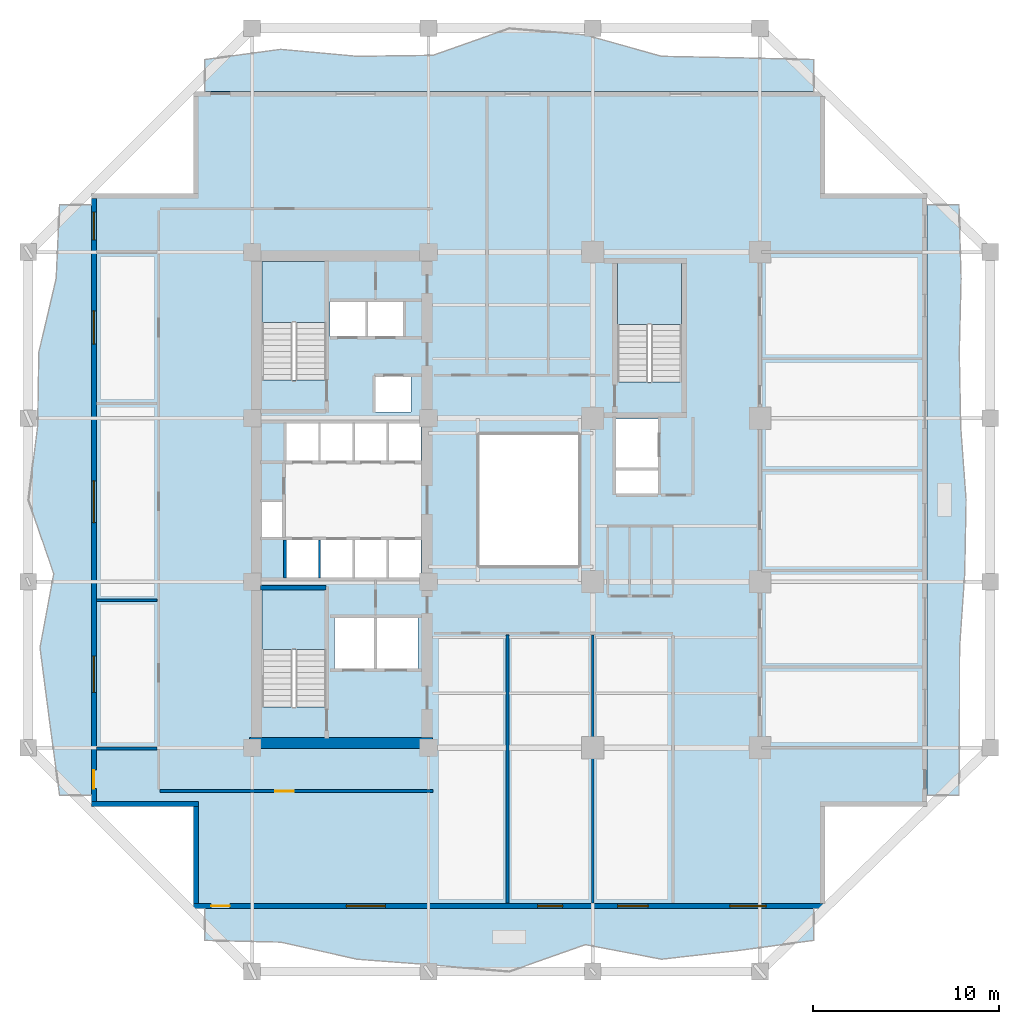
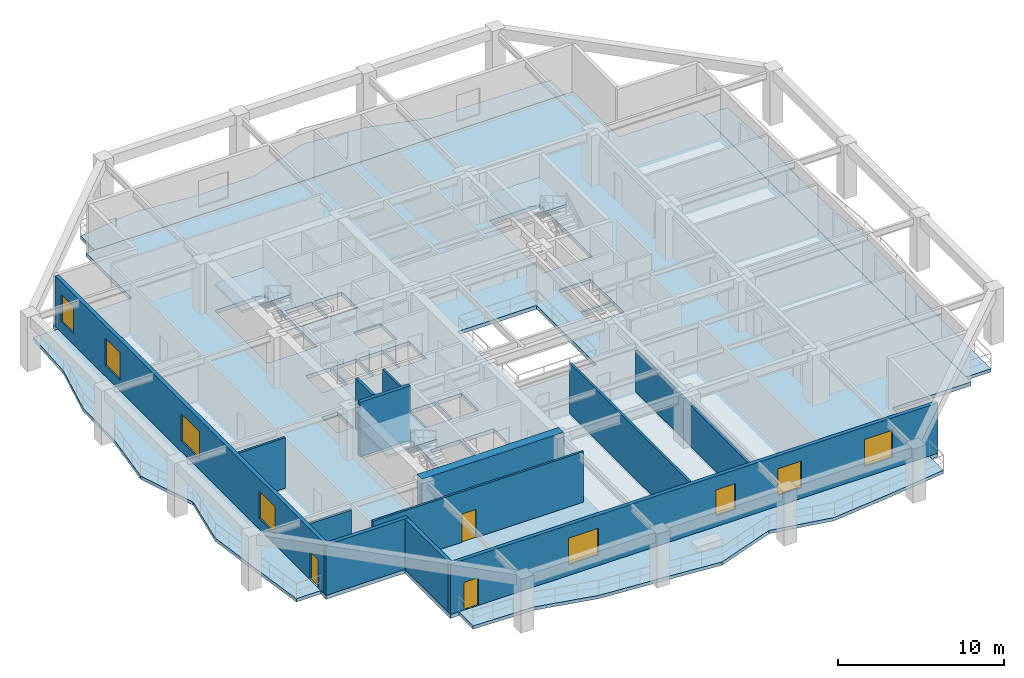
# One storey, part 2 of 13: 13 walls, 8 slabs, 8 windows, 3 doors, 11 openings, 3 elements without a shape of their own.
"""IFC4 building model written with IfcOpenShell, lengths in metres."""

from ifc_helpers import new_model, si_unit, direction, frame, frame_2d, origin, place, context, subcontext, project, spatial, polyline, rectangle, outline, extrude, material, layer, layer_set, type_object, element, fill, aggregate, save


model = new_model("IFC4")

# Units and contexts
model_context = context("Model", 3, precision=1e-05, world=origin(), true_north=direction((0.0, 1.0)))
body_context = subcontext(model_context, "Body", "Model", "MODEL_VIEW")
ifc_project = project(units=[si_unit("LENGTHUNIT", "METRE"), si_unit("AREAUNIT", "SQUARE_METRE"), si_unit("VOLUMEUNIT", "CUBIC_METRE"), si_unit("PLANEANGLEUNIT", "RADIAN"), si_unit("MASSUNIT", "GRAM", prefix="KILO")], contexts=[model_context])

# Site, building, storey
site_placement = place(None, origin())
site = spatial("IfcSite", under=ifc_project, at=site_placement, CompositionType="ELEMENT")
building_placement = place(site_placement, origin())
building = spatial("IfcBuilding", under=site, at=building_placement, Name="Kundavana Baori Tower", CompositionType="ELEMENT")
storey_placement = place(building_placement, frame((0.0, 0.0, 58.0)))
storey = spatial("IfcBuildingStorey", under=building, at=storey_placement, Name="L13", CompositionType="ELEMENT", Elevation=58.0)

# Slab
ifc_material_1 = material(Name="Concrete C40/50", Category="concrete")
ifc_layer_1 = layer(ifc_material_1, 0.280029296875, Name="SLB-FLR-280")
ifc_layer_set_1 = layer_set([ifc_layer_1], Name="Concrete C40/50")
slab_type_1 = type_object("IfcSlabType", Name="SLB-FLR-280", PredefinedType="FLOOR", material=ifc_layer_set_1)
slab_1_placement = place(storey_placement, frame((0.0, 0.0, -0.280029296875)))
element("IfcSlab", 1, at=slab_1_placement, inside=storey, type_object=slab_type_1, Name="L13 Structural Floor Slab", PredefinedType="FLOOR", context=body_context, shape_type="SweptSolid", body=[
    extrude(outline(polyline([(12.300048828125, 6.60009765625), (46.300048828125, 6.60009765625), (46.300048828125, 12.10009765625), (51.800048828125, 12.10009765625), (51.800048828125, 45.10009765625), (46.300048828125, 45.10009765625), (46.300048828125, 50.60009765625), (12.300048828125, 50.60009765625), (12.300048828125, 45.10009765625), (6.800048828125, 45.10009765625), (6.800048828125, 12.10009765625), (12.300048828125, 12.10009765625), (12.300048828125, 6.60009765625)]), holes=[polyline([(19.43994140625, 17.4619140625), (19.43994140625, 23.85009765625), (15.97998046875, 23.85009765625), (15.97998046875, 17.4619140625), (19.43994140625, 17.4619140625)]), polyline([(19.43994140625, 35.06201171875), (19.43994140625, 41.449951171875), (15.97998046875, 41.449951171875), (15.97998046875, 35.06201171875), (19.43994140625, 35.06201171875)]), polyline([(38.580078125, 34.9619140625), (38.580078125, 41.35009765625), (35.1201171875, 41.35009765625), (35.1201171875, 34.9619140625), (38.580078125, 34.9619140625)]), polyline([(17.300048828125, 24.39990234375), (19.02001953125, 24.39990234375), (19.02001953125, 26.449951171875), (17.300048828125, 26.449951171875), (17.300048828125, 24.39990234375)]), polyline([(19.139892578125, 24.39990234375), (20.860107421875, 24.39990234375), (20.860107421875, 26.449951171875), (19.139892578125, 26.449951171875), (19.139892578125, 24.39990234375)]), polyline([(20.97998046875, 24.39990234375), (22.699951171875, 24.39990234375), (22.699951171875, 26.449951171875), (20.97998046875, 26.449951171875), (20.97998046875, 24.39990234375)]), polyline([(22.820068359375, 24.39990234375), (24.5400390625, 24.39990234375), (24.5400390625, 26.449951171875), (22.820068359375, 26.449951171875), (22.820068359375, 24.39990234375)]), polyline([(17.300048828125, 30.699951171875), (19.02001953125, 30.699951171875), (19.02001953125, 32.75), (17.300048828125, 32.75), (17.300048828125, 30.699951171875)]), polyline([(19.139892578125, 30.699951171875), (20.860107421875, 30.699951171875), (20.860107421875, 32.75), (19.139892578125, 32.75), (19.139892578125, 30.699951171875)]), polyline([(20.97998046875, 30.699951171875), (22.699951171875, 30.699951171875), (22.699951171875, 32.75), (20.97998046875, 32.75), (20.97998046875, 30.699951171875)]), polyline([(22.820068359375, 30.699951171875), (24.5400390625, 30.699951171875), (24.5400390625, 32.75), (22.820068359375, 32.75), (22.820068359375, 30.699951171875)]), polyline([(19.64990234375, 37.39990234375), (21.550048828125, 37.39990234375), (21.550048828125, 39.300048828125), (19.64990234375, 39.300048828125), (19.64990234375, 37.39990234375)]), polyline([(21.699951171875, 37.39990234375), (23.60009765625, 37.39990234375), (23.60009765625, 39.300048828125), (21.699951171875, 39.300048828125), (21.699951171875, 37.39990234375)]), polyline([(22.10009765625, 33.35009765625), (24.0, 33.35009765625), (24.0, 35.25), (22.10009765625, 35.25), (22.10009765625, 33.35009765625)]), polyline([(19.8798828125, 19.5), (22.02001953125, 19.5), (22.02001953125, 22.25), (19.8798828125, 22.25), (19.8798828125, 19.5)]), polyline([(22.179931640625, 19.5), (24.3798828125, 19.5), (24.3798828125, 22.25), (22.179931640625, 22.25), (22.179931640625, 19.5)]), polyline([(35.050048828125, 30.35009765625), (37.300048828125, 30.35009765625), (37.300048828125, 32.949951171875), (35.050048828125, 32.949951171875), (35.050048828125, 30.35009765625)]), polyline([(15.949951171875, 26.60009765625), (17.080078125, 26.60009765625), (17.080078125, 28.5), (15.949951171875, 28.5), (15.949951171875, 26.60009765625)]), polyline([(35.050048828125, 28.949951171875), (37.300048828125, 28.949951171875), (37.300048828125, 30.199951171875), (35.050048828125, 30.199951171875), (35.050048828125, 28.949951171875)]), polyline([(27.60009765625, 25.0), (33.10009765625, 25.0), (33.10009765625, 32.199951171875), (27.60009765625, 32.199951171875), (27.60009765625, 25.0)])]), origin(), (0.0, 0.0, 1.0), 0.280029296875),
])

# Stair, slab
ifc_material_2 = material(Name="Concrete C40/50", Category="concrete")
stair_type = type_object("IfcStairType", Name="STR-DOG-1650", PredefinedType="HALF_TURN_STAIR", material=ifc_material_2)
stair_1_placement = place(storey_placement, origin())
stair_1 = element("IfcStair", 2, at=stair_1_placement, inside=storey, type_object=stair_type, Name="L13 Protected Exit Stair ST1", PredefinedType="HALF_TURN_STAIR")
ifc_material_3 = material(Name="Concrete C40/50", Category="concrete")
ifc_layer_2 = layer(ifc_material_3, 0.199951171875, Name="SLB-LND-200")
ifc_layer_set_2 = layer_set([ifc_layer_2], Name="Concrete C40/50")
slab_type_2 = type_object("IfcSlabType", Name="SLB-LND-200", PredefinedType="LANDING", material=ifc_layer_set_2)
slab_2_placement = place(storey_placement, frame((0.0, 0.0, 1.800048828125)))
slab_2 = element("IfcSlab", 3, at=slab_2_placement, type_object=slab_type_2, Name="ST1 landing 1", PredefinedType="LANDING", context=body_context, shape_type="SweptSolid", body=[
    extrude(outline(polyline([(19.43994140625, 20.550048828125), (19.43994140625, 23.85009765625), (15.97998046875, 23.85009765625), (15.97998046875, 20.550048828125), (19.43994140625, 20.550048828125)])), origin(), (0.0, 0.0, 1.0), 0.199951171875),
])
aggregate(stair_1, [slab_2])

stair_2_placement = place(storey_placement, origin())
stair_2 = element("IfcStair", 4, at=stair_2_placement, inside=storey, type_object=stair_type, Name="L13 Protected Exit Stair ST2", PredefinedType="HALF_TURN_STAIR")
slab_3_placement = place(storey_placement, frame((0.0, 0.0, 1.800048828125)))
slab_3 = element("IfcSlab", 5, at=slab_3_placement, type_object=slab_type_2, Name="ST2 landing 1", PredefinedType="LANDING", context=body_context, shape_type="SweptSolid", body=[
    extrude(outline(polyline([(19.43994140625, 38.14990234375), (19.43994140625, 41.449951171875), (15.97998046875, 41.449951171875), (15.97998046875, 38.14990234375), (19.43994140625, 38.14990234375)])), origin(), (0.0, 0.0, 1.0), 0.199951171875),
])
aggregate(stair_2, [slab_3])

stair_3_placement = place(storey_placement, origin())
stair_3 = element("IfcStair", 6, at=stair_3_placement, inside=storey, type_object=stair_type, Name="L13 Protected Exit Stair ST3", PredefinedType="HALF_TURN_STAIR")
slab_4_placement = place(storey_placement, frame((0.0, 0.0, 1.800048828125)))
slab_4 = element("IfcSlab", 7, at=slab_4_placement, type_object=slab_type_2, Name="ST3 landing 1", PredefinedType="LANDING", context=body_context, shape_type="SweptSolid", body=[
    extrude(outline(polyline([(38.580078125, 38.050048828125), (38.580078125, 41.35009765625), (35.1201171875, 41.35009765625), (35.1201171875, 38.050048828125), (38.580078125, 38.050048828125)])), origin(), (0.0, 0.0, 1.0), 0.199951171875),
])
aggregate(stair_3, [slab_4])

# Slabs
ifc_material_4 = material(Name="Concrete C40/50", Category="concrete")
ifc_layer_3 = layer(ifc_material_4, 0.239990234375, Name="SLB-LOG-240")
ifc_layer_set_3 = layer_set([ifc_layer_3], Name="Concrete C40/50")
slab_type_3 = type_object("IfcSlabType", Name="SLB-LOG-240", PredefinedType="FLOOR", material=ifc_layer_set_3)
slab_5_placement = place(storey_placement, frame((0.0, 0.0, -0.239990234375)))
element("IfcSlab", 8, at=slab_5_placement, inside=storey, type_object=slab_type_3, Name="L13 Planted Loggia Balcony Slab S", PredefinedType="FLOOR", context=body_context, shape_type="SweptSolid", body=[
    extrude(outline(polyline([(12.89990234375, 6.60009765625), (45.699951171875, 6.60009765625), (45.699951171875, 4.8798828125), (41.60009765625, 4.3310546875), (37.5, 3.865966796875), (33.39990234375, 4.653076171875), (29.300048828125, 3.199951171875), (25.199951171875, 3.554931640625), (21.10009765625, 3.865966796875), (17.0, 4.785888671875), (12.89990234375, 4.8798828125), (12.89990234375, 6.60009765625)])), origin(), (0.0, 0.0, 1.0), 0.239990234375),
])
slab_6_placement = place(storey_placement, frame((0.0, 0.0, -0.239990234375)))
element("IfcSlab", 9, at=slab_6_placement, inside=storey, type_object=slab_type_3, Name="L13 Planted Loggia Balcony Slab E", PredefinedType="FLOOR", context=body_context, shape_type="SweptSolid", body=[
    extrude(outline(polyline([(51.800048828125, 12.699951171875), (51.800048828125, 44.5), (53.52001953125, 44.5), (53.635009765625, 40.52490234375), (53.5380859375, 36.550048828125), (53.613037109375, 32.574951171875), (53.904052734375, 28.60009765625), (53.830078125, 24.625), (53.553955078125, 20.64990234375), (53.5458984375, 16.675048828125), (53.52001953125, 12.699951171875), (51.800048828125, 12.699951171875)])), origin(), (0.0, 0.0, 1.0), 0.239990234375),
])
slab_7_placement = place(storey_placement, frame((0.0, 0.0, -0.239990234375)))
element("IfcSlab", 10, at=slab_7_placement, inside=storey, type_object=slab_type_3, Name="L13 Planted Loggia Balcony Slab N", PredefinedType="FLOOR", context=body_context, shape_type="SweptSolid", body=[
    extrude(outline(polyline([(45.699951171875, 50.60009765625), (12.89990234375, 50.60009765625), (12.89990234375, 52.320068359375), (17.0, 52.868896484375), (21.10009765625, 52.493896484375), (25.199951171875, 52.547119140625), (29.300048828125, 54.0), (33.39990234375, 53.64501953125), (37.5, 52.493896484375), (41.60009765625, 52.4140625), (45.699951171875, 52.320068359375), (45.699951171875, 50.60009765625)])), origin(), (0.0, 0.0, 1.0), 0.239990234375),
])
slab_8_placement = place(storey_placement, frame((0.0, 0.0, -0.239990234375)))
element("IfcSlab", 11, at=slab_8_placement, inside=storey, type_object=slab_type_3, Name="L13 Planted Loggia Balcony Slab W", PredefinedType="FLOOR", context=body_context, shape_type="SweptSolid", body=[
    extrude(outline(polyline([(6.800048828125, 44.5), (6.800048828125, 12.699951171875), (5.080078125, 12.699951171875), (4.5419921875, 16.675048828125), (4.028076171875, 20.64990234375), (4.76806640625, 24.625), (3.39990234375, 28.60009765625), (3.90087890625, 32.574951171875), (3.964111328125, 36.550048828125), (4.89794921875, 40.52490234375), (5.080078125, 44.5), (6.800048828125, 44.5)])), origin(), (0.0, 0.0, 1.0), 0.239990234375),
])

# Walls
ifc_material_5 = material(Name="Concrete C50/60", Category="concrete")
ifc_layer_4 = layer(ifc_material_5, 0.39990234375, Name="WL-CORE-400")
ifc_layer_set_4 = layer_set([ifc_layer_4], Name="Concrete C50/60")
wall_type_1 = type_object("IfcWallType", Name="WL-CORE-400", PredefinedType="SHEAR", material=ifc_layer_set_4)
wall_1_placement = place(storey_placement, frame((15.89990234375, 23.860107421875, 0.0), z_axis=(0.0, 0.0, 1.0), x_axis=(1.0, 0.0, 0.0)))
element("IfcWall", 12, at=wall_1_placement, inside=storey, type_object=wall_type_1, Name="WL-L13-ST1-N", PredefinedType="SHEAR", context=body_context, shape_type="SweptSolid", body=[
    extrude(rectangle(XDim=3.52001953125, YDim=0.239990234375, at=frame_2d((1.760009765625, 0.0))), origin(), (0.0, 0.0, 1.0), 4.0),
])
ifc_material_6 = material(Name="Concrete C60/75", Category="concrete")
ifc_layer_5 = layer(ifc_material_6, 0.60009765625, Name="WL-CORE-600")
ifc_layer_set_5 = layer_set([ifc_layer_5], Name="Concrete C60/75")
wall_type_2 = type_object("IfcWallType", Name="WL-CORE-600", PredefinedType="SHEAR", material=ifc_layer_set_5)
wall_2_placement = place(storey_placement, frame((15.300048828125, 15.510009765625, 0.0), z_axis=(0.0, 0.0, 1.0), x_axis=(1.0, 0.0, 0.0)))
element("IfcWall", 13, at=wall_2_placement, inside=storey, type_object=wall_type_2, Name="L13 Offset Core South Shear Wall", PredefinedType="SHEAR", context=body_context, shape_type="SweptSolid", body=[
    extrude(rectangle(XDim=9.8798828125, YDim=0.60009765625, at=frame_2d((4.93994140625, 0.0))), origin(), (0.0, 0.0, 1.0), 3.719970703125),
])

# Wall, openings, door, windows
ifc_material_7 = material(Name="Kiln-Fired Terracotta Brick-Slip Masonry on Concrete C40/50", Category="masonry")
ifc_layer_6 = layer(ifc_material_7, 0.260009765625, Name="WL-EXT-BRK-260")
ifc_layer_set_6 = layer_set([ifc_layer_6], Name="Kiln-Fired Terracotta Brick-Slip Masonry on Concrete C40/50")
wall_type_3 = type_object("IfcWallType", Name="WL-EXT-BRK-260", PredefinedType="SOLIDWALL", material=ifc_layer_set_6)
wall_3_placement = place(storey_placement, frame((12.300048828125, 6.72998046875, 0.0), z_axis=(0.0, 0.0, 1.0), x_axis=(1.0, 0.0, 0.0)))
wall_3 = element("IfcWall", 14, at=wall_3_placement, inside=storey, type_object=wall_type_3, Name="L13 Exterior Insulated Facade Wall 01", PredefinedType="SOLIDWALL", context=body_context, shape_type="SweptSolid", body=[
    extrude(rectangle(XDim=34.0, YDim=0.260009765625, at=frame_2d((17.0, 0.0))), origin(), (0.0, 0.0, 1.0), 3.719970703125),
])
opening_1_placement = place(wall_3_placement, frame((0.949951171875, 0.0, 0.0)))
opening_1 = element("IfcOpeningElement", 15, at=opening_1_placement, cuts=wall_3, Name="Opening BD-1", PredefinedType="OPENING", context=body_context, shape_type="SweptSolid", body=[
    extrude(rectangle(XDim=1.0, YDim=2.050048828125, at=frame_2d((0.5, 1.02490234375))), frame((0.0, 0.14013671875, 0.0), z_axis=(0.0, -1.0, 0.0), x_axis=(1.0, 0.0, 0.0)), (0.0, 0.0, 1.0), 0.280029296875),
])
opening_2_placement = place(wall_3_placement, frame((8.22998046875, 0.0, 0.800048828125)))
opening_2 = element("IfcOpeningElement", 16, at=opening_2_placement, cuts=wall_3, Name="Opening W-05", PredefinedType="OPENING", context=body_context, shape_type="SweptSolid", body=[
    extrude(rectangle(XDim=2.10009765625, YDim=1.949951171875, at=frame_2d((1.050048828125, 0.97509765625))), frame((0.0, 0.14013671875, 0.0), z_axis=(0.0, -1.0, 0.0), x_axis=(1.0, 0.0, 0.0)), (0.0, 0.0, 1.0), 0.280029296875),
])
opening_3_placement = place(wall_3_placement, frame((18.52490234375, 0.0, 0.800048828125)))
opening_3 = element("IfcOpeningElement", 17, at=opening_3_placement, cuts=wall_3, Name="Opening W-07", PredefinedType="OPENING", context=body_context, shape_type="SweptSolid", body=[
    extrude(rectangle(XDim=1.35009765625, YDim=1.89990234375, at=frame_2d((0.675048828125, 0.949951171875))), frame((0.0, 0.14013671875, 0.0), z_axis=(0.0, -1.0, 0.0), x_axis=(1.0, 0.0, 0.0)), (0.0, 0.0, 1.0), 0.280029296875),
])
opening_4_placement = place(wall_3_placement, frame((22.8349609375, 0.0, 0.800048828125)))
opening_4 = element("IfcOpeningElement", 18, at=opening_4_placement, cuts=wall_3, Name="Opening W-08", PredefinedType="OPENING", context=body_context, shape_type="SweptSolid", body=[
    extrude(rectangle(XDim=1.64990234375, YDim=1.949951171875, at=frame_2d((0.824951171875, 0.97509765625))), frame((0.0, 0.14013671875, 0.0), z_axis=(0.0, -1.0, 0.0), x_axis=(1.0, 0.0, 0.0)), (0.0, 0.0, 1.0), 0.280029296875),
])
opening_5_placement = place(wall_3_placement, frame((28.8798828125, 0.0, 0.800048828125)))
opening_5 = element("IfcOpeningElement", 19, at=opening_5_placement, cuts=wall_3, Name="Opening W-09", PredefinedType="OPENING", context=body_context, shape_type="SweptSolid", body=[
    extrude(rectangle(XDim=1.949951171875, YDim=2.0, at=frame_2d((0.97509765625, 1.0))), frame((0.0, 0.14013671875, 0.0), z_axis=(0.0, -1.0, 0.0), x_axis=(1.0, 0.0, 0.0)), (0.0, 0.0, 1.0), 0.280029296875),
])
ifc_material_8 = material(Name="Architectural Patinated Bronze Metalwork")
door_type_1 = type_object("IfcDoorType", Name="DR-EXT-LOG-1000", OperationType="NOTDEFINED", PredefinedType="DOOR", material=ifc_material_8)
door_1_placement = place(opening_1_placement, frame((1.0, 0.0, 0.0), z_axis=(0.0, 0.0, 1.0), x_axis=(-1.0, 0.0, 0.0)))
door_1 = element("IfcDoor", 20, at=door_1_placement, inside=storey, type_object=door_type_1, Name="L13 Loggia Balcony Access Door S", OperationType="SINGLE_SWING_LEFT", OverallHeight=2.050048828125, OverallWidth=1.0, PredefinedType="DOOR", context=body_context, shape_type="SweptSolid", body=[
    extrude(rectangle(XDim=1.0, YDim=2.050048828125, at=frame_2d((0.5, 1.02490234375))), frame((0.0, 0.02490234375, 0.0), z_axis=(0.0, -1.0, 0.0), x_axis=(1.0, 0.0, 0.0)), (0.0, 0.0, 1.0), 0.050048828125),
])
fill(opening_1, door_1)
ifc_material_9 = material(Name="Double-Glazed Solar-Control Low-E Insulated Glass", Category="glass")
window_type_1 = type_object("IfcWindowType", Name="WIN-LOG-1350x1900", PartitioningType="SINGLE_PANEL", PredefinedType="WINDOW", material=ifc_material_9)
window_1_placement = place(opening_3_placement, origin())
window_1 = element("IfcWindow", 21, at=window_1_placement, inside=storey, type_object=window_type_1, Name="L13 Recessed Loggia Window S-2", OverallHeight=1.89990234375, OverallWidth=1.35009765625, PartitioningType="SINGLE_PANEL", PredefinedType="WINDOW", context=body_context, shape_type="SweptSolid", body=[
    extrude(rectangle(XDim=1.35009765625, YDim=1.89990234375, at=frame_2d((0.675048828125, 0.949951171875))), frame((0.0, 0.030029296875, 0.0), z_axis=(0.0, -1.0, 0.0), x_axis=(1.0, 0.0, 0.0)), (0.0, 0.0, 1.0), 0.06005859375),
])
fill(opening_3, window_1)
ifc_material_10 = material(Name="Double-Glazed Solar-Control Low-E Insulated Glass", Category="glass")
window_type_2 = type_object("IfcWindowType", Name="WIN-LOG-1650x1950", PartitioningType="SINGLE_PANEL", PredefinedType="WINDOW", material=ifc_material_10)
window_2_placement = place(opening_4_placement, origin())
window_2 = element("IfcWindow", 22, at=window_2_placement, inside=storey, type_object=window_type_2, Name="L13 Recessed Loggia Window S-3", OverallHeight=1.949951171875, OverallWidth=1.64990234375, PartitioningType="SINGLE_PANEL", PredefinedType="WINDOW", context=body_context, shape_type="SweptSolid", body=[
    extrude(rectangle(XDim=1.64990234375, YDim=1.949951171875, at=frame_2d((0.824951171875, 0.97509765625))), frame((0.0, 0.030029296875, 0.0), z_axis=(0.0, -1.0, 0.0), x_axis=(1.0, 0.0, 0.0)), (0.0, 0.0, 1.0), 0.06005859375),
])
fill(opening_4, window_2)
ifc_material_11 = material(Name="Double-Glazed Solar-Control Low-E Insulated Glass", Category="glass")
window_type_3 = type_object("IfcWindowType", Name="WIN-LOG-1950x2000", PartitioningType="SINGLE_PANEL", PredefinedType="WINDOW", material=ifc_material_11)
window_3_placement = place(opening_5_placement, origin())
window_3 = element("IfcWindow", 23, at=window_3_placement, inside=storey, type_object=window_type_3, Name="L13 Recessed Loggia Window S-4", OverallHeight=2.0, OverallWidth=1.949951171875, PartitioningType="SINGLE_PANEL", PredefinedType="WINDOW", context=body_context, shape_type="SweptSolid", body=[
    extrude(rectangle(XDim=1.949951171875, YDim=2.0, at=frame_2d((0.97509765625, 1.0))), frame((0.0, 0.030029296875, 0.0), z_axis=(0.0, -1.0, 0.0), x_axis=(1.0, 0.0, 0.0)), (0.0, 0.0, 1.0), 0.06005859375),
])
fill(opening_5, window_3)
ifc_material_12 = material(Name="Double-Glazed Solar-Control Low-E Insulated Glass", Category="glass")
window_type_4 = type_object("IfcWindowType", Name="WIN-LOG-2100x1950", PartitioningType="SINGLE_PANEL", PredefinedType="WINDOW", material=ifc_material_12)
window_4_placement = place(opening_2_placement, origin())
window_4 = element("IfcWindow", 24, at=window_4_placement, inside=storey, type_object=window_type_4, Name="L13 Recessed Loggia Window S-1", OverallHeight=1.949951171875, OverallWidth=2.10009765625, PartitioningType="SINGLE_PANEL", PredefinedType="WINDOW", context=body_context, shape_type="SweptSolid", body=[
    extrude(rectangle(XDim=2.10009765625, YDim=1.949951171875, at=frame_2d((1.050048828125, 0.97509765625))), frame((0.0, 0.030029296875, 0.0), z_axis=(0.0, -1.0, 0.0), x_axis=(1.0, 0.0, 0.0)), (0.0, 0.0, 1.0), 0.06005859375),
])
fill(opening_2, window_4)

wall_4_placement = place(storey_placement, frame((6.929931640625, 44.840087890625, 0.0), z_axis=(0.0, 0.0, 1.0), x_axis=(0.0, -1.0, 0.0)))
wall_4 = element("IfcWall", 25, at=wall_4_placement, inside=storey, type_object=wall_type_3, Name="L13 Exterior Insulated Facade Wall 10", PredefinedType="SOLIDWALL", context=body_context, shape_type="SweptSolid", body=[
    extrude(rectangle(XDim=32.47998046875, YDim=0.260009765625, at=frame_2d((16.239990234375, 0.0))), origin(), (0.0, 0.0, 1.0), 3.719970703125),
])
opening_6_placement = place(wall_4_placement, frame((30.7900390625, 0.0, 0.0)))
opening_6 = element("IfcOpeningElement", 26, at=opening_6_placement, cuts=wall_4, Name="Opening BD-1", PredefinedType="OPENING", context=body_context, shape_type="SweptSolid", body=[
    extrude(rectangle(XDim=1.0, YDim=2.050048828125, at=frame_2d((0.5, 1.02490234375))), frame((0.0, 0.14013671875, 0.0), z_axis=(0.0, -1.0, 0.0), x_axis=(1.0, 0.0, 0.0)), (0.0, 0.0, 1.0), 0.280029296875),
])
opening_7_placement = place(wall_4_placement, frame((24.655029296875, 0.0, 0.800048828125)))
opening_7 = element("IfcOpeningElement", 27, at=opening_7_placement, cuts=wall_4, Name="Opening W-09", PredefinedType="OPENING", context=body_context, shape_type="SweptSolid", body=[
    extrude(rectangle(XDim=1.949951171875, YDim=2.0, at=frame_2d((0.97509765625, 1.0))), frame((0.0, 0.14013671875, 0.0), z_axis=(0.0, -1.0, 0.0), x_axis=(1.0, 0.0, 0.0)), (0.0, 0.0, 1.0), 0.280029296875),
])
opening_8_placement = place(wall_4_placement, frame((15.215087890625, 0.0, 0.800048828125)))
opening_8 = element("IfcOpeningElement", 28, at=opening_8_placement, cuts=wall_4, Name="Opening W-10", PredefinedType="OPENING", context=body_context, shape_type="SweptSolid", body=[
    extrude(rectangle(XDim=2.25, YDim=2.0, at=frame_2d((1.125, 1.0))), frame((0.0, 0.14013671875, 0.0), z_axis=(0.0, -1.0, 0.0), x_axis=(1.0, 0.0, 0.0)), (0.0, 0.0, 1.0), 0.280029296875),
])
opening_9_placement = place(wall_4_placement, frame((6.050048828125, 0.0, 0.800048828125)))
opening_9 = element("IfcOpeningElement", 29, at=opening_9_placement, cuts=wall_4, Name="Opening W-01", PredefinedType="OPENING", context=body_context, shape_type="SweptSolid", body=[
    extrude(rectangle(XDim=1.800048828125, YDim=2.0, at=frame_2d((0.89990234375, 1.0))), frame((0.0, 0.14013671875, 0.0), z_axis=(0.0, -1.0, 0.0), x_axis=(1.0, 0.0, 0.0)), (0.0, 0.0, 1.0), 0.280029296875),
])
opening_10_placement = place(wall_4_placement, frame((0.735107421875, 0.0, 0.800048828125)))
opening_10 = element("IfcOpeningElement", 30, at=opening_10_placement, cuts=wall_4, Name="Opening W-02", PredefinedType="OPENING", context=body_context, shape_type="SweptSolid", body=[
    extrude(rectangle(XDim=1.5, YDim=2.0, at=frame_2d((0.75, 1.0))), frame((0.0, 0.14013671875, 0.0), z_axis=(0.0, -1.0, 0.0), x_axis=(1.0, 0.0, 0.0)), (0.0, 0.0, 1.0), 0.280029296875),
])
door_2_placement = place(opening_6_placement, frame((1.0, 0.0, 0.0), z_axis=(0.0, 0.0, 1.0), x_axis=(-1.0, 0.0, 0.0)))
door_2 = element("IfcDoor", 31, at=door_2_placement, inside=storey, type_object=door_type_1, Name="L13 Loggia Balcony Access Door W", OperationType="SINGLE_SWING_RIGHT", OverallHeight=2.050048828125, OverallWidth=1.0, PredefinedType="DOOR", context=body_context, shape_type="SweptSolid", body=[
    extrude(rectangle(XDim=1.0, YDim=2.050048828125, at=frame_2d((0.5, 1.02490234375))), frame((0.0, 0.02490234375, 0.0), z_axis=(0.0, -1.0, 0.0), x_axis=(1.0, 0.0, 0.0)), (0.0, 0.0, 1.0), 0.050048828125),
])
fill(opening_6, door_2)
ifc_material_13 = material(Name="Double-Glazed Solar-Control Low-E Insulated Glass", Category="glass")
window_type_5 = type_object("IfcWindowType", Name="WIN-LOG-1500x2000", PartitioningType="SINGLE_PANEL", PredefinedType="WINDOW", material=ifc_material_13)
window_5_placement = place(opening_10_placement, origin())
window_5 = element("IfcWindow", 32, at=window_5_placement, inside=storey, type_object=window_type_5, Name="L13 Recessed Loggia Window W-5", OverallHeight=2.0, OverallWidth=1.5, PartitioningType="SINGLE_PANEL", PredefinedType="WINDOW", context=body_context, shape_type="SweptSolid", body=[
    extrude(rectangle(XDim=1.5, YDim=2.0, at=frame_2d((0.75, 1.0))), frame((0.0, 0.030029296875, 0.0), z_axis=(0.0, -1.0, 0.0), x_axis=(1.0, 0.0, 0.0)), (0.0, 0.0, 1.0), 0.06005859375),
])
fill(opening_10, window_5)
ifc_material_14 = material(Name="Double-Glazed Solar-Control Low-E Insulated Glass", Category="glass")
window_type_6 = type_object("IfcWindowType", Name="WIN-LOG-1800x2000", PartitioningType="SINGLE_PANEL", PredefinedType="WINDOW", material=ifc_material_14)
window_6_placement = place(opening_9_placement, origin())
window_6 = element("IfcWindow", 33, at=window_6_placement, inside=storey, type_object=window_type_6, Name="L13 Recessed Loggia Window W-4", OverallHeight=2.0, OverallWidth=1.800048828125, PartitioningType="SINGLE_PANEL", PredefinedType="WINDOW", context=body_context, shape_type="SweptSolid", body=[
    extrude(rectangle(XDim=1.800048828125, YDim=2.0, at=frame_2d((0.89990234375, 1.0))), frame((0.0, 0.030029296875, 0.0), z_axis=(0.0, -1.0, 0.0), x_axis=(1.0, 0.0, 0.0)), (0.0, 0.0, 1.0), 0.06005859375),
])
fill(opening_9, window_6)
window_7_placement = place(opening_7_placement, origin())
window_7 = element("IfcWindow", 34, at=window_7_placement, inside=storey, type_object=window_type_3, Name="L13 Recessed Loggia Window W-2", OverallHeight=2.0, OverallWidth=1.949951171875, PartitioningType="SINGLE_PANEL", PredefinedType="WINDOW", context=body_context, shape_type="SweptSolid", body=[
    extrude(rectangle(XDim=1.949951171875, YDim=2.0, at=frame_2d((0.97509765625, 1.0))), frame((0.0, 0.030029296875, 0.0), z_axis=(0.0, -1.0, 0.0), x_axis=(1.0, 0.0, 0.0)), (0.0, 0.0, 1.0), 0.06005859375),
])
fill(opening_7, window_7)
ifc_material_15 = material(Name="Double-Glazed Solar-Control Low-E Insulated Glass", Category="glass")
window_type_7 = type_object("IfcWindowType", Name="WIN-LOG-2250x2000", PartitioningType="SINGLE_PANEL", PredefinedType="WINDOW", material=ifc_material_15)
window_8_placement = place(opening_8_placement, origin())
window_8 = element("IfcWindow", 35, at=window_8_placement, inside=storey, type_object=window_type_7, Name="L13 Recessed Loggia Window W-3", OverallHeight=2.0, OverallWidth=2.25, PartitioningType="SINGLE_PANEL", PredefinedType="WINDOW", context=body_context, shape_type="SweptSolid", body=[
    extrude(rectangle(XDim=2.25, YDim=2.0, at=frame_2d((1.125, 1.0))), frame((0.0, 0.030029296875, 0.0), z_axis=(0.0, -1.0, 0.0), x_axis=(1.0, 0.0, 0.0)), (0.0, 0.0, 1.0), 0.06005859375),
])
fill(opening_8, window_8)

# Walls
wall_5_placement = place(storey_placement, frame((6.800048828125, 12.22998046875, 0.0), z_axis=(0.0, 0.0, 1.0), x_axis=(1.0, 0.0, 0.0)))
element("IfcWall", 36, at=wall_5_placement, inside=storey, type_object=wall_type_3, Name="L13 Exterior Insulated Facade Wall 11", PredefinedType="SOLIDWALL", context=body_context, shape_type="SweptSolid", body=[
    extrude(rectangle(XDim=5.760009765625, YDim=0.260009765625, at=frame_2d((2.8798828125, 0.0))), origin(), (0.0, 0.0, 1.0), 3.719970703125),
])
wall_6_placement = place(storey_placement, frame((12.429931640625, 12.10009765625, 0.0), z_axis=(0.0, 0.0, 1.0), x_axis=(0.0, -1.0, 0.0)))
element("IfcWall", 37, at=wall_6_placement, inside=storey, type_object=wall_type_3, Name="L13 Exterior Insulated Facade Wall 12", PredefinedType="SOLIDWALL", context=body_context, shape_type="SweptSolid", body=[
    extrude(rectangle(XDim=5.239990234375, YDim=0.260009765625, at=frame_2d((2.6201171875, 0.0))), origin(), (0.0, 0.0, 1.0), 3.719970703125),
])
ifc_material_16 = material(Name="Acoustic Gypsum Plasterboard on Galvanised Steel Studs", Category="steel")
ifc_layer_7 = layer(ifc_material_16, 0.1201171875, Name="WL-PART-120")
ifc_layer_set_7 = layer_set([ifc_layer_7], Name="Acoustic Gypsum Plasterboard on Galvanised Steel Studs")
wall_type_4 = type_object("IfcWallType", Name="WL-PART-120", PredefinedType="PARTITIONING", material=ifc_layer_set_7)
wall_7_placement = place(storey_placement, frame((19.080078125, 24.39990234375, 0.0), z_axis=(0.0, 0.0, 1.0), x_axis=(0.0, 1.0, 0.0)))
element("IfcWall", 38, at=wall_7_placement, inside=storey, type_object=wall_type_4, Name="WL-L13-LPLOW-D1", PredefinedType="PARTITIONING", context=body_context, shape_type="SweptSolid", body=[
    extrude(rectangle(XDim=2.050048828125, YDim=0.1201171875, at=frame_2d((1.02490234375, 0.0))), origin(), (0.0, 0.0, 1.0), 3.719970703125),
])
ifc_material_17 = material(Name="Fire-Rated Gypsum Drywall on Galvanised Steel Studs", Category="steel")
ifc_layer_8 = layer(ifc_material_17, 0.14990234375, Name="WL-PART-150")
ifc_layer_set_8 = layer_set([ifc_layer_8], Name="Fire-Rated Gypsum Drywall on Galvanised Steel Studs")
wall_type_5 = type_object("IfcWallType", Name="WL-PART-150", PredefinedType="PARTITIONING", material=ifc_layer_set_8)
wall_8_placement = place(storey_placement, frame((7.080078125, 15.219970703125, 0.0), z_axis=(0.0, 0.0, 1.0), x_axis=(1.0, 0.0, 0.0)))
element("IfcWall", 39, at=wall_8_placement, inside=storey, type_object=wall_type_5, Name="WL-L13-OWS", PredefinedType="PARTITIONING", context=body_context, shape_type="SweptSolid", body=[
    extrude(rectangle(XDim=3.260009765625, YDim=0.14990234375, at=frame_2d((1.6298828125, 0.0))), origin(), (0.0, 0.0, 1.0), 3.219970703125),
])

# Wall, opening, door
wall_9_placement = place(storey_placement, frame((10.5, 12.919921875, 0.0), z_axis=(0.0, 0.0, 1.0), x_axis=(1.0, 0.0, 0.0)))
wall_9 = element("IfcWall", 40, at=wall_9_placement, inside=storey, type_object=wall_type_5, Name="WL-L13-OSC", PredefinedType="PARTITIONING", context=body_context, shape_type="SweptSolid", body=[
    extrude(rectangle(XDim=14.699951171875, YDim=0.14990234375, at=frame_2d((7.35009765625, 0.0))), origin(), (0.0, 0.0, 1.0), 3.719970703125),
])
opening_11_placement = place(wall_9_placement, frame((6.199951171875, 0.0, 0.0)))
opening_11 = element("IfcOpeningElement", 41, at=opening_11_placement, cuts=wall_9, Name="Opening ID-100", PredefinedType="OPENING", context=body_context, shape_type="SweptSolid", body=[
    extrude(rectangle(XDim=1.0, YDim=2.080078125, at=frame_2d((0.5, 1.0400390625))), frame((0.0, 0.0849609375, 0.0), z_axis=(0.0, -1.0, 0.0), x_axis=(1.0, 0.0, 0.0)), (0.0, 0.0, 1.0), 0.169921875),
])
ifc_material_18 = material(Name="Engineered Teak Solid-Core Timber Veneer", Category="wood")
door_type_2 = type_object("IfcDoorType", Name="DR-INT-1000", OperationType="NOTDEFINED", PredefinedType="DOOR", material=ifc_material_18)
door_3_placement = place(opening_11_placement, frame((1.0, 0.0, 0.0), z_axis=(0.0, 0.0, 1.0), x_axis=(-1.0, 0.0, 0.0)))
door_3 = element("IfcDoor", 42, at=door_3_placement, inside=storey, type_object=door_type_2, Name="DR-L13-OSWC", OperationType="SINGLE_SWING_LEFT", OverallHeight=2.080078125, OverallWidth=1.0, PredefinedType="DOOR", context=body_context, shape_type="SweptSolid", body=[
    extrude(rectangle(XDim=1.0, YDim=2.080078125, at=frame_2d((0.5, 1.0400390625))), frame((0.0, 0.02490234375, 0.0), z_axis=(0.0, -1.0, 0.0), x_axis=(1.0, 0.0, 0.0)), (0.0, 0.0, 1.0), 0.050048828125),
])
fill(opening_11, door_3)

# Walls
wall_10_placement = place(storey_placement, frame((7.080078125, 23.199951171875, 0.0), z_axis=(0.0, 0.0, 1.0), x_axis=(1.0, 0.0, 0.0)))
element("IfcWall", 43, at=wall_10_placement, inside=storey, type_object=wall_type_5, Name="WL-L13-WD1", PredefinedType="PARTITIONING", context=body_context, shape_type="SweptSolid", body=[
    extrude(rectangle(XDim=3.260009765625, YDim=0.14990234375, at=frame_2d((1.6298828125, 0.0))), origin(), (0.0, 0.0, 1.0), 3.719970703125),
])
wall_11_placement = place(storey_placement, frame((29.199951171875, 6.8798828125, 0.0), z_axis=(0.0, 0.0, 1.0), x_axis=(0.0, 1.0, 0.0)))
element("IfcWall", 44, at=wall_11_placement, inside=storey, type_object=wall_type_5, Name="WL-L13-SD1", PredefinedType="PARTITIONING", context=body_context, shape_type="SweptSolid", body=[
    extrude(rectangle(XDim=14.460205078125, YDim=0.14990234375, at=frame_2d((7.22998046875, 0.0))), origin(), (0.0, 0.0, 1.0), 3.719970703125),
])
wall_12_placement = place(storey_placement, frame((33.800048828125, 6.8798828125, 0.0), z_axis=(0.0, 0.0, 1.0), x_axis=(0.0, 1.0, 0.0)))
element("IfcWall", 45, at=wall_12_placement, inside=storey, type_object=wall_type_5, Name="WL-L13-SD2", PredefinedType="PARTITIONING", context=body_context, shape_type="SweptSolid", body=[
    extrude(rectangle(XDim=14.460205078125, YDim=0.14990234375, at=frame_2d((7.22998046875, 0.0))), origin(), (0.0, 0.0, 1.0), 3.02001953125),
])
ifc_material_19 = material(Name="Autoclaved Aerated Concrete Blockwork Masonry", Category="masonry")
ifc_layer_9 = layer(ifc_material_19, 0.179931640625, Name="WL-SHAFT-180")
ifc_layer_set_9 = layer_set([ifc_layer_9], Name="Autoclaved Aerated Concrete Blockwork Masonry")
wall_type_6 = type_object("IfcWallType", Name="WL-SHAFT-180", PredefinedType="SOLIDWALL", material=ifc_layer_set_9)
wall_13_placement = place(storey_placement, frame((17.219970703125, 24.39990234375, 0.0), z_axis=(0.0, 0.0, 1.0), x_axis=(0.0, 1.0, 0.0)))
element("IfcWall", 46, at=wall_13_placement, inside=storey, type_object=wall_type_6, Name="WL-L13-LPLOW-W", PredefinedType="SOLIDWALL", context=body_context, shape_type="SweptSolid", body=[
    extrude(rectangle(XDim=2.050048828125, YDim=0.179931640625, at=frame_2d((1.02490234375, 0.0))), origin(), (0.0, 0.0, 1.0), 3.719970703125),
])

save(model, "model.ifc")
